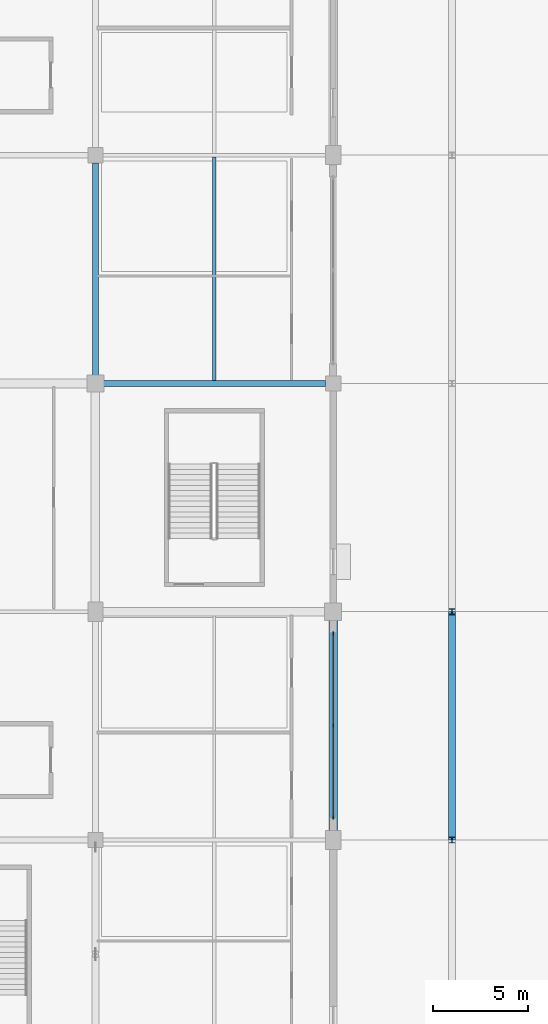
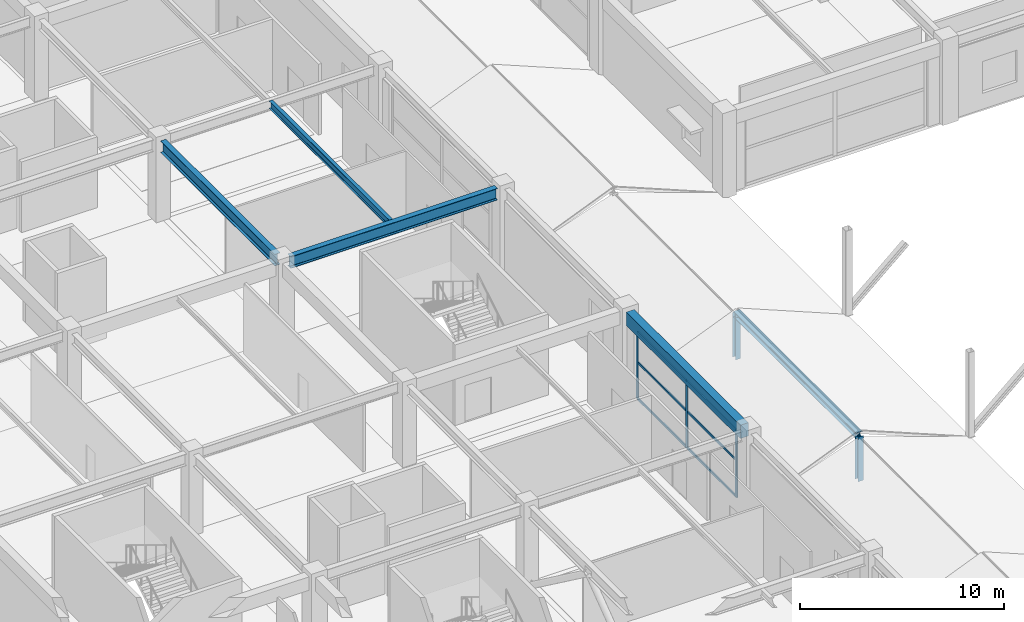
# One storey, part 28 of 116: 12 members, 4 beams, 1 element without a shape of its own.
"""IFC4 building model written with IfcOpenShell, lengths in metres."""

from ifc_helpers import new_model, si_unit, direction, frame, origin, origin_2d, place, context, subcontext, project, spatial, rectangle, i_section, extrude, material, layer, layer_set, material_profile, profile_set, type_object, element, aggregate, save


model = new_model("IFC4")

# Units and contexts
model_context = context("Model", 3, precision=1e-05, world=origin(), true_north=direction((0.0, 1.0)))
body_context = subcontext(model_context, "Body", "Model", "MODEL_VIEW")
ifc_project = project(units=[si_unit("LENGTHUNIT", "METRE"), si_unit("AREAUNIT", "SQUARE_METRE"), si_unit("VOLUMEUNIT", "CUBIC_METRE"), si_unit("PLANEANGLEUNIT", "RADIAN"), si_unit("MASSUNIT", "GRAM", prefix="KILO")], contexts=[model_context])

# Site, building, storey
site_placement = place(None, origin())
site = spatial("IfcSite", under=ifc_project, at=site_placement, CompositionType="ELEMENT")
building_placement = place(site_placement, origin())
building = spatial("IfcBuilding", under=site, at=building_placement, Name="Kazenohara Klinker Stadium", CompositionType="ELEMENT")
storey_placement = place(building_placement, frame((0.0, 0.0, 10.199951171875)))
storey = spatial("IfcBuildingStorey", under=building, at=storey_placement, Name="L02", CompositionType="ELEMENT", Elevation=10.199951171875)

# Beams
ifc_material_1 = material(Name="Steel S355", Category="steel")
ifc_material_profile_1 = material_profile(ifc_material_1, i_section(OverallWidth=0.199951171875, OverallDepth=0.449951171875, WebThickness=0.009033203125, FlangeThickness=0.013916015625, FilletRadius=0.012939453125, at=origin_2d()), Name="H-450x200x9x14")
ifc_profile_set_1 = profile_set([ifc_material_profile_1], Name="Steel S355")
beam_type_1 = type_object("IfcBeamType", Name="BM-JST02", PredefinedType="JOIST", material=ifc_profile_set_1)
beam_1_placement = place(storey_placement, frame((30.25, 132.14990234375, 4.594970703125), z_axis=(0.0, 1.0, 0.0), x_axis=(-1.0, 0.0, 0.0)))
element("IfcBeam", 1, at=beam_1_placement, inside=storey, type_object=beam_type_1, Name="Secondary floor joist SJ02 L02 3/M", PredefinedType="JOIST", context=body_context, shape_type="SweptSolid", body=[
    extrude(i_section(OverallWidth=0.199951171875, OverallDepth=0.449951171875, WebThickness=0.009033203125, FlangeThickness=0.013916015625, FilletRadius=0.012939453125, at=origin_2d()), origin(), (0.0, 0.0, 1.0), 11.75),
])
ifc_material_2 = material(Name="Concrete C40/50", Category="concrete")
ifc_material_profile_2 = material_profile(ifc_material_2, rectangle(XDim=0.449951171875, YDim=0.800048828125, at=origin_2d()), Name="RC-BM-450x800")
ifc_profile_set_2 = profile_set([ifc_material_profile_2], Name="Concrete C40/50")
beam_type_2 = type_object("IfcBeamType", Name="BM-RC03", PredefinedType="BEAM", material=ifc_profile_set_2)
beam_2_placement = place(storey_placement, frame((36.5, 108.419921875, 4.420166015625), z_axis=(0.0, 1.0, 0.0), x_axis=(-1.0, 0.0, 0.0)))
element("IfcBeam", 2, at=beam_2_placement, inside=storey, type_object=beam_type_2, Name="Primary girder BG03 L02 4/K-L", PredefinedType="BEAM", context=body_context, shape_type="SweptSolid", body=[
    extrude(rectangle(XDim=0.449951171875, YDim=0.800048828125, at=origin_2d()), origin(), (0.0, 0.0, 1.0), 11.16015625),
])
ifc_material_profile_3 = material_profile(ifc_material_1, i_section(OverallWidth=0.300048828125, OverallDepth=0.699951171875, WebThickness=0.012939453125, FlangeThickness=0.02392578125, FilletRadius=0.02197265625, at=origin_2d()), Name="H-700x300x13x24")
ifc_profile_set_3 = profile_set([ifc_material_profile_3], Name="Steel S355")
beam_type_3 = type_object("IfcBeamType", Name="BM-ST03", PredefinedType="BEAM", material=ifc_profile_set_3)
beam_3_placement = place(storey_placement, frame((24.419921875, 132.0, 4.469970703125), z_axis=(1.0, 0.0, 0.0), x_axis=(0.0, 1.0, 0.0)))
element("IfcBeam", 3, at=beam_3_placement, inside=storey, type_object=beam_type_3, Name="Primary girder SB03 L02 3-4/M", PredefinedType="BEAM", context=body_context, shape_type="SweptSolid", body=[
    extrude(i_section(OverallWidth=0.300048828125, OverallDepth=0.699951171875, WebThickness=0.012939453125, FlangeThickness=0.02392578125, FilletRadius=0.02197265625, at=origin_2d()), origin(), (0.0, 0.0, 1.0), 11.68017578125),
])
beam_4_placement = place(storey_placement, frame((24.0, 132.419921875, 4.469970703125), z_axis=(0.0, 1.0, 0.0), x_axis=(-1.0, 0.0, 0.0)))
element("IfcBeam", 4, at=beam_4_placement, inside=storey, type_object=beam_type_3, Name="Primary girder SB03 L02 3/M-N", PredefinedType="BEAM", context=body_context, shape_type="SweptSolid", body=[
    extrude(i_section(OverallWidth=0.300048828125, OverallDepth=0.699951171875, WebThickness=0.012939453125, FlangeThickness=0.02392578125, FilletRadius=0.02197265625, at=origin_2d()), origin(), (0.0, 0.0, 1.0), 11.18017578125),
])

# Curtain wall, members
ifc_material_3 = material(Name="Anodised aluminium and triple glazing", Category="aluminium")
ifc_layer = layer(ifc_material_3, 0.169921875)
ifc_layer_set = layer_set([ifc_layer], Name="Anodised aluminium and triple glazing")
curtain_wall_type = type_object("IfcCurtainWallType", Name="CW-SYS-04", PredefinedType="USERDEFINED", material=ifc_layer_set)
curtain_wall_placement = place(storey_placement, origin())
curtain_wall = element("IfcCurtainWall", 5, at=curtain_wall_placement, inside=storey, type_object=curtain_wall_type, Name="Unitised facade curtain wall CW04 L02 Y3-9", ObjectType="UNITISED CURTAIN WALL", PredefinedType="USERDEFINED")
ifc_material_4 = material(Name="Anodised aluminium 6063-T6", Category="aluminium")
ifc_material_profile_4 = material_profile(ifc_material_4, rectangle(XDim=0.06494140625, YDim=0.179931640625, at=origin_2d()), Name="ALU-MUL-65x180")
ifc_profile_set_4 = profile_set([ifc_material_profile_4], Name="Anodised aluminium 6063-T6")
member_type_1 = type_object("IfcMemberType", Name="CW-MUL-180", PredefinedType="MULLION", material=ifc_profile_set_4)
member_1_placement = place(storey_placement, frame((36.5, 109.1865234375, 0.0), z_axis=(0.0, 0.0, 1.0), x_axis=(-1.0, 0.0, 0.0)))
member_1 = element("IfcMember", 6, at=member_1_placement, type_object=member_type_1, Name="CW04 mullion 1", PredefinedType="MULLION", context=body_context, shape_type="SweptSolid", body=[
    extrude(rectangle(XDim=0.06494140625, YDim=0.179931640625, at=origin_2d()), origin(), (0.0, 0.0, 1.0), 4.02001953125),
])
member_2_placement = place(storey_placement, frame((36.5, 114.02490234375, 0.0), z_axis=(0.0, 0.0, 1.0), x_axis=(-1.0, 0.0, 0.0)))
member_2 = element("IfcMember", 7, at=member_2_placement, type_object=member_type_1, Name="CW04 mullion 2", PredefinedType="MULLION", context=body_context, shape_type="SweptSolid", body=[
    extrude(rectangle(XDim=0.06494140625, YDim=0.179931640625, at=origin_2d()), origin(), (0.0, 0.0, 1.0), 4.02001953125),
])
member_3_placement = place(storey_placement, frame((36.5, 118.863525390625, 0.0), z_axis=(0.0, 0.0, 1.0), x_axis=(-1.0, 0.0, 0.0)))
member_3 = element("IfcMember", 8, at=member_3_placement, type_object=member_type_1, Name="CW04 mullion 3", PredefinedType="MULLION", context=body_context, shape_type="SweptSolid", body=[
    extrude(rectangle(XDim=0.06494140625, YDim=0.179931640625, at=origin_2d()), origin(), (0.0, 0.0, 1.0), 4.02001953125),
])
ifc_material_profile_5 = material_profile(ifc_material_4, rectangle(XDim=0.06494140625, YDim=0.139892578125, at=origin_2d()), Name="ALU-TRN-65x140")
ifc_profile_set_5 = profile_set([ifc_material_profile_5], Name="Anodised aluminium 6063-T6")
member_type_2 = type_object("IfcMemberType", Name="CW-TRN-140", PredefinedType="USERDEFINED", material=ifc_profile_set_5)
member_4_placement = place(storey_placement, frame((36.5, 109.218994140625, 0.032470703125), z_axis=(0.0, 1.0, 0.0), x_axis=(-1.0, 0.0, 0.0)))
member_4 = element("IfcMember", 9, at=member_4_placement, type_object=member_type_2, Name="CW04 transom 1.1", ObjectType="TRANSOM", PredefinedType="USERDEFINED", context=body_context, shape_type="SweptSolid", body=[
    extrude(rectangle(XDim=0.06494140625, YDim=0.139892578125, at=origin_2d()), origin(), (0.0, 0.0, 1.0), 4.7734375),
])
member_5_placement = place(storey_placement, frame((36.5, 109.218994140625, 2.2109375), z_axis=(0.0, 1.0, 0.0), x_axis=(-1.0, 0.0, 0.0)))
member_5 = element("IfcMember", 10, at=member_5_placement, type_object=member_type_2, Name="CW04 transom 1.2", ObjectType="TRANSOM", PredefinedType="USERDEFINED", context=body_context, shape_type="SweptSolid", body=[
    extrude(rectangle(XDim=0.06494140625, YDim=0.139892578125, at=origin_2d()), origin(), (0.0, 0.0, 1.0), 4.7734375),
])
member_6_placement = place(storey_placement, frame((36.5, 109.218994140625, 3.987548828125), z_axis=(0.0, 1.0, 0.0), x_axis=(-1.0, 0.0, 0.0)))
member_6 = element("IfcMember", 11, at=member_6_placement, type_object=member_type_2, Name="CW04 transom 1.3", ObjectType="TRANSOM", PredefinedType="USERDEFINED", context=body_context, shape_type="SweptSolid", body=[
    extrude(rectangle(XDim=0.06494140625, YDim=0.139892578125, at=origin_2d()), origin(), (0.0, 0.0, 1.0), 4.7734375),
])
member_7_placement = place(storey_placement, frame((36.5, 114.0576171875, 0.032470703125), z_axis=(0.0, 1.0, 0.0), x_axis=(-1.0, 0.0, 0.0)))
member_7 = element("IfcMember", 12, at=member_7_placement, type_object=member_type_2, Name="CW04 transom 2.1", ObjectType="TRANSOM", PredefinedType="USERDEFINED", context=body_context, shape_type="SweptSolid", body=[
    extrude(rectangle(XDim=0.06494140625, YDim=0.139892578125, at=origin_2d()), origin(), (0.0, 0.0, 1.0), 4.7734375),
])
member_8_placement = place(storey_placement, frame((36.5, 114.0576171875, 2.2109375), z_axis=(0.0, 1.0, 0.0), x_axis=(-1.0, 0.0, 0.0)))
member_8 = element("IfcMember", 13, at=member_8_placement, type_object=member_type_2, Name="CW04 transom 2.2", ObjectType="TRANSOM", PredefinedType="USERDEFINED", context=body_context, shape_type="SweptSolid", body=[
    extrude(rectangle(XDim=0.06494140625, YDim=0.139892578125, at=origin_2d()), origin(), (0.0, 0.0, 1.0), 4.7734375),
])
member_9_placement = place(storey_placement, frame((36.5, 114.0576171875, 3.987548828125), z_axis=(0.0, 1.0, 0.0), x_axis=(-1.0, 0.0, 0.0)))
member_9 = element("IfcMember", 14, at=member_9_placement, type_object=member_type_2, Name="CW04 transom 2.3", ObjectType="TRANSOM", PredefinedType="USERDEFINED", context=body_context, shape_type="SweptSolid", body=[
    extrude(rectangle(XDim=0.06494140625, YDim=0.139892578125, at=origin_2d()), origin(), (0.0, 0.0, 1.0), 4.7734375),
])
aggregate(curtain_wall, [member_1, member_2, member_3, member_4, member_5, member_6, member_7, member_8, member_9])

# Members
ifc_material_profile_6 = material_profile(ifc_material_1, i_section(OverallWidth=0.35009765625, OverallDepth=0.35009765625, WebThickness=0.011962890625, FlangeThickness=0.01904296875, FilletRadius=0.012939453125, at=origin_2d()), Name="H-350x350x12x19")
ifc_profile_set_6 = profile_set([ifc_material_profile_6], Name="Steel S355")
member_type_3 = type_object("IfcMemberType", Name="MEM-CHD02", PredefinedType="CHORD", material=ifc_profile_set_6)
member_10_placement = place(storey_placement, frame((42.75, 108.0, 2.22998046875), z_axis=(0.0, 1.0, 0.0), x_axis=(-1.0, 0.0, 0.0)))
element("IfcMember", 15, at=member_10_placement, inside=storey, type_object=member_type_3, Name="Stepped pavilion gable ridge beam L02 4/K", PredefinedType="CHORD", context=body_context, shape_type="SweptSolid", body=[
    extrude(i_section(OverallWidth=0.35009765625, OverallDepth=0.35009765625, WebThickness=0.011962890625, FlangeThickness=0.01904296875, FilletRadius=0.012939453125, at=origin_2d()), origin(), (0.0, 0.0, 1.0), 12.0),
])
ifc_material_profile_7 = material_profile(ifc_material_1, i_section(OverallWidth=0.300048828125, OverallDepth=0.300048828125, WebThickness=0.010009765625, FlangeThickness=0.014892578125, FilletRadius=0.012939453125, at=origin_2d()), Name="H-300x300x10x15")
ifc_profile_set_7 = profile_set([ifc_material_profile_7], Name="Steel S355")
member_type_4 = type_object("IfcMemberType", Name="MEM-STR01", PredefinedType="STRUT", material=ifc_profile_set_7)
for number, where, z_axis, x_axis, name in (
    (16, (42.75, 108.0, -0.429931640625), (0.0, 0.0, 1.0), (1.0, 0.0, 0.0), "Stepped pavilion gable king-post L02 4/K S"),
    (17, (42.75, 120.0, -0.429931640625), (0.0, 0.0, 1.0), (1.0, 0.0, 0.0), "Stepped pavilion gable king-post L02 4/K N"),
):
    element("IfcMember", number, at=place(storey_placement, frame(where, z_axis=z_axis, x_axis=x_axis)), inside=storey, type_object=member_type_4, Name=name, PredefinedType="STRUT", context=body_context, shape_type="SweptSolid", body=[
        extrude(i_section(OverallWidth=0.300048828125, OverallDepth=0.300048828125, WebThickness=0.010009765625, FlangeThickness=0.014892578125, FilletRadius=0.012939453125, at=origin_2d()), origin(), (0.0, 0.0, 1.0), 2.659912109375),
    ])

save(model, "model.ifc")
